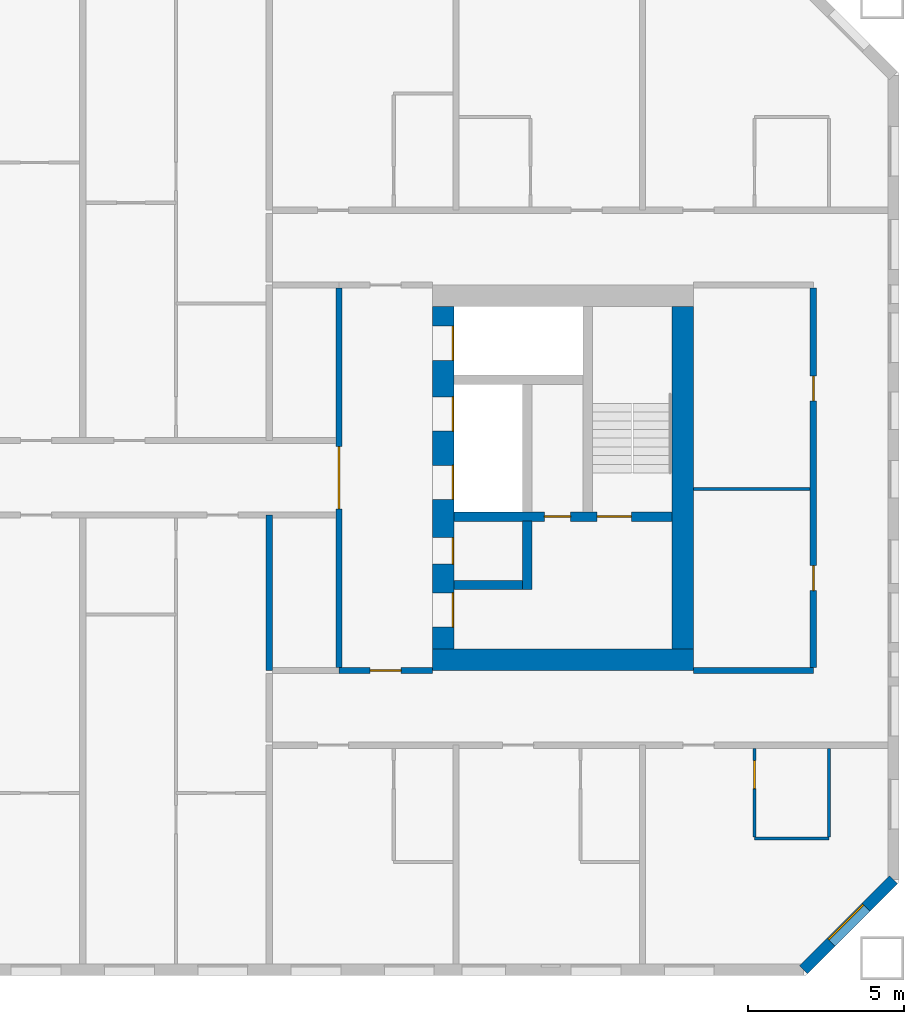
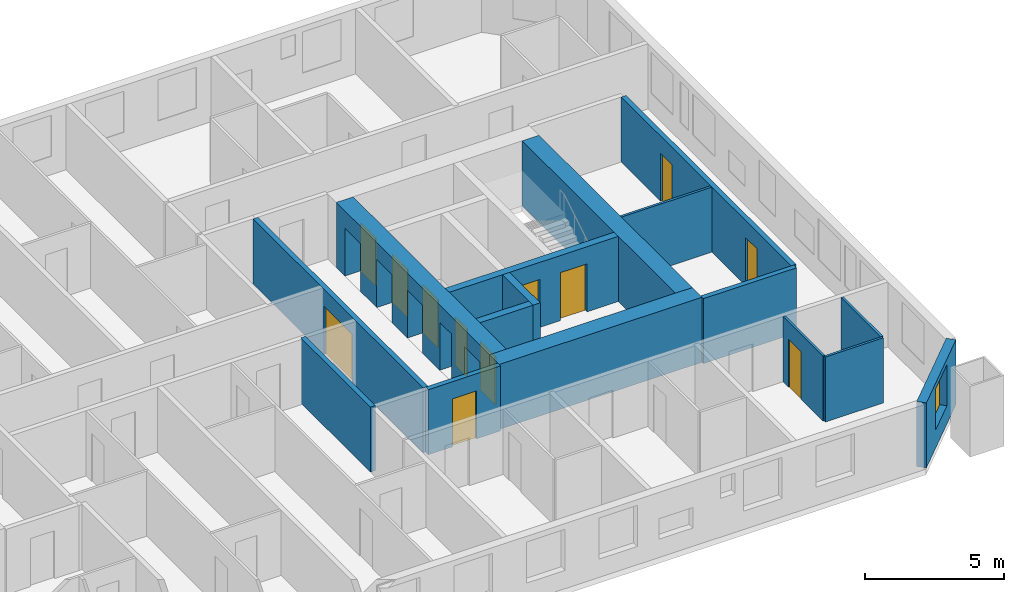
# One storey, part 12 of 17: 16 walls, 12 doors, 1 window, 13 openings.
"""IFC4 building model written with IfcOpenShell, lengths in metres."""

import ifcopenshell
import ifcopenshell.guid

model = None  # the IFC model being written
_history = None  # IfcOwnerHistory: only IFC2X3 demands one
_inside = {}  # id of a spatial element -> (the spatial element, [elements in it])
_under = {}  # id of a project, library or spatial element -> (it, [spatial elements below it])
_declared = {}  # id of a project -> (the project, [libraries it declares])
_typed = {}  # id of a type object -> (the type object, [elements of that type])
_made_of = {}  # id of a material, layer set ... -> (it, [elements and type objects made of it])


def new_model(schema):
    """Start an empty IFC model of exactly this schema.

    Asked for "IFC4X3", IfcOpenShell would pick the latest addendum, in which some entities
    have other attributes; the version numbers below select the first issue.
    IFC2X3 requires an IfcOwnerHistory on every rooted entity: one is made here for all.
    """
    global model, _history
    if schema == "IFC4X3":
        model = ifcopenshell.file(schema_version=(4, 3, 0, 0))
    else:
        model = ifcopenshell.file(schema=schema)
    _inside.clear()
    _under.clear()
    _declared.clear()
    _typed.clear()
    _made_of.clear()
    _history = None
    if model.schema == "IFC2X3":
        org = make("IfcOrganization", Name="unknown")
        user = make(
            "IfcPersonAndOrganization",
            ThePerson=make("IfcPerson", FamilyName="unknown"),
            TheOrganization=org,
        )
        app = make(
            "IfcApplication",
            ApplicationDeveloper=org,
            Version="unknown",
            ApplicationFullName="unknown",
            ApplicationIdentifier="unknown",
        )
        _history = make(
            "IfcOwnerHistory",
            OwningUser=user,
            OwningApplication=app,
            ChangeAction="ADDED",
            CreationDate=0,
        )
    return model


def make(cls, **values):
    """One entity of the class cls with the attributes given. An attribute that is None is left unset."""
    return model.create_entity(
        cls, **{name: value for name, value in values.items() if value is not None}
    )


def rooted(cls, **values):
    """An entity with a GlobalId (a new one), such as an element, a storey or a relation."""
    return make(cls, GlobalId=ifcopenshell.guid.new(), OwnerHistory=_history, **values)


def si_unit(unit_type, name, prefix=None):
    """IfcSIUnit, for example si_unit("LENGTHUNIT", "METRE", prefix="MILLI")."""
    return make("IfcSIUnit", UnitType=unit_type, Prefix=prefix, Name=name)


def assignment(units):
    """IfcUnitAssignment: the units of a project."""
    return None if units is None else make("IfcUnitAssignment", Units=units)


def point(xyz):
    """IfcCartesianPoint."""
    return None if xyz is None else make("IfcCartesianPoint", Coordinates=xyz)


def direction(xyz):
    """IfcDirection."""
    return None if xyz is None else make("IfcDirection", DirectionRatios=xyz)


def frame(location, z_axis=None, x_axis=None):
    """IfcAxis2Placement3D, a coordinate frame: its origin and axes. An axis left out is left unset."""
    return make(
        "IfcAxis2Placement3D",
        Location=point(location),
        Axis=direction(z_axis),
        RefDirection=direction(x_axis),
    )


def frame_2d(location, x_axis=None):
    """IfcAxis2Placement2D, a coordinate frame in the plane: its origin and x axis."""
    return make(
        "IfcAxis2Placement2D", Location=point(location), RefDirection=direction(x_axis)
    )


def origin():
    """The frame at (0, 0, 0) with its axes left unset."""
    return frame((0.0, 0.0, 0.0))


def place(relative_to, where):
    """IfcLocalPlacement: puts the frame where relative to a parent placement (None: the world)."""
    return make(
        "IfcLocalPlacement", PlacementRelTo=relative_to, RelativePlacement=where
    )


def context(
    kind, dimensions, precision=None, world=None, true_north=None, identifier=None
):
    """IfcGeometricRepresentationContext, for example the 3D "Model" context."""
    return make(
        "IfcGeometricRepresentationContext",
        ContextIdentifier=identifier,
        ContextType=kind,
        CoordinateSpaceDimension=dimensions,
        Precision=precision,
        WorldCoordinateSystem=world,
        TrueNorth=true_north,
    )


def subcontext(parent, identifier, kind, view, scale=None):
    """IfcGeometricRepresentationSubContext, for example "Body" below "Model"."""
    return make(
        "IfcGeometricRepresentationSubContext",
        ContextIdentifier=identifier,
        ContextType=kind,
        ParentContext=parent,
        TargetScale=scale,
        TargetView=view,
    )


def project(units=None, contexts=None):
    """IfcProject with its units and contexts."""
    return rooted(
        "IfcProject",
        Name="project",
        RepresentationContexts=contexts,
        UnitsInContext=assignment(units),
    )


def spatial(cls, under=None, at=None, **own):
    """A site, building, storey or space (cls), placed at a placement, below another one or the project."""
    s = rooted(cls, ObjectPlacement=at, **own)
    if under is not None:
        _under.setdefault(under.id(), (under, []))[1].append(s)
    return s


def profile(cls, at=None, kind="AREA", **sizes):
    """A parametric profile (cls). Its sizes go by their IFC names, for example OverallWidth=200.0."""
    return make(cls, ProfileType=kind, Position=at, **sizes)


def rectangle(**sizes):
    """IfcRectangleProfileDef."""
    return profile("IfcRectangleProfileDef", **sizes)


def extrude(swept, where, along, depth):
    """IfcExtrudedAreaSolid: the profile swept, set in the frame where, extruded along a direction by depth."""
    return make(
        "IfcExtrudedAreaSolid",
        SweptArea=swept,
        Position=where,
        ExtrudedDirection=direction(along),
        Depth=depth,
    )


def shape(context_of_items, identifier, shape_type, items):
    """IfcShapeRepresentation: the items that make up one representation, for example the "Body"."""
    return make(
        "IfcShapeRepresentation",
        ContextOfItems=context_of_items,
        RepresentationIdentifier=identifier,
        RepresentationType=shape_type,
        Items=items,
    )


def material(Name=None, Category=None):
    """IfcMaterial."""
    return make("IfcMaterial", Name=Name, Category=Category)


def layer(
    of_material, thickness, ventilated=None, Name=None, Category=None, Priority=None
):
    """IfcMaterialLayer: one layer of a wall or slab, of a material (None: an air gap)."""
    return make(
        "IfcMaterialLayer",
        Material=of_material,
        LayerThickness=thickness,
        IsVentilated=ventilated,
        Name=Name,
        Category=Category,
        Priority=Priority,
    )


def layer_set(layers, Name=None):
    """IfcMaterialLayerSet."""
    return make("IfcMaterialLayerSet", MaterialLayers=layers, LayerSetName=Name)


def made_of(thing, what):
    """Note that an element or type object is made of a material, layer set ...; save() writes the relation."""
    if what is not None:
        _made_of.setdefault(what.id(), (what, []))[1].append(thing)
    return thing


def type_object(cls, material=None, **own):
    """A type object (cls), such as IfcWallType, which elements share."""
    return made_of(rooted(cls, **own), material)


def element(
    cls,
    number,
    at=None,
    inside=None,
    cuts=None,
    type_object=None,
    material=None,
    context=None,
    identifier="Body",
    shape_type=None,
    held_by="IfcProductDefinitionShape",
    body=None,
    shapes=None,
    **own,
):
    """One element of the class cls, such as IfcWall. Its Tag is "e" and its number.

    at: its placement. inside: the storey or other place that contains it. cuts: it is an
    opening in that element (IfcRelVoidsElement). A single representation is given by context,
    identifier, shape_type and body (its items); several are given by shapes. held_by: the class
    of the entity that holds the representations. save() writes the other relations.
    """
    e = rooted(cls, Tag="e%d" % number, ObjectPlacement=at, **own)
    if body is not None:
        shapes = [shape(context, identifier, shape_type, body)]
    if shapes is not None:
        e.Representation = make(held_by, Representations=shapes)
    if inside is not None:
        _inside.setdefault(inside.id(), (inside, []))[1].append(e)
    if cuts is not None:
        rooted(
            "IfcRelVoidsElement", RelatingBuildingElement=cuts, RelatedOpeningElement=e
        )
    if type_object is not None:
        _typed.setdefault(type_object.id(), (type_object, []))[1].append(e)
    return made_of(e, material)


def fill(opening, filler):
    """IfcRelFillsElement: the door or window that sits in an opening."""
    return rooted(
        "IfcRelFillsElement",
        RelatingOpeningElement=opening,
        RelatedBuildingElement=filler,
    )


def aggregate(whole, parts):
    """IfcRelAggregates: a whole, such as a stair, and the parts it consists of."""
    return rooted("IfcRelAggregates", RelatingObject=whole, RelatedObjects=parts)


def save(model, path):
    """Write the relations noted so far, then the file.

    IfcRelAggregates (storeys below a building ...), IfcRelContainedInSpatialStructure (elements
    in a storey), IfcRelDefinesByType, IfcRelAssociatesMaterial and IfcRelDeclares: one each for
    every whole, place, type object, material and project.
    """
    for whole, parts in _under.values():
        aggregate(whole, parts)
    for where, things in _inside.values():
        rooted(
            "IfcRelContainedInSpatialStructure",
            RelatedElements=things,
            RelatingStructure=where,
        )
    for kind, things in _typed.values():
        rooted("IfcRelDefinesByType", RelatedObjects=things, RelatingType=kind)
    for what, things in _made_of.values():
        rooted("IfcRelAssociatesMaterial", RelatedObjects=things, RelatingMaterial=what)
    for by, libraries in _declared.values():
        rooted("IfcRelDeclares", RelatingContext=by, RelatedDefinitions=libraries)
    model.write(path)


model = new_model("IFC4")

# Units and contexts
model_context = context("Model", 3, precision=1e-05, world=origin(), true_north=direction((0.0, 1.0)))
body_context = subcontext(model_context, "Body", "Model", "MODEL_VIEW")
ifc_project = project(units=[si_unit("LENGTHUNIT", "METRE"), si_unit("AREAUNIT", "SQUARE_METRE"), si_unit("VOLUMEUNIT", "CUBIC_METRE"), si_unit("PLANEANGLEUNIT", "RADIAN"), si_unit("MASSUNIT", "GRAM", prefix="KILO")], contexts=[model_context])

# Site, building, storey
site_placement = place(None, origin())
site = spatial("IfcSite", under=ifc_project, at=site_placement, CompositionType="ELEMENT")
building_placement = place(site_placement, origin())
building = spatial("IfcBuilding", under=site, at=building_placement, Name="Tuart Gate Housing", CompositionType="ELEMENT")
storey_placement = place(building_placement, frame((0.0, 0.0, 77.800048828125)))
storey = spatial("IfcBuildingStorey", under=building, at=storey_placement, Name="L21", CompositionType="ELEMENT", Elevation=77.800048828125)

# Wall, opening, window
ifc_material_1 = material(Name="Brick", Category="masonry")
ifc_layer_1 = layer(ifc_material_1, 0.360107421875)
ifc_layer_set_1 = layer_set([ifc_layer_1], Name="Brick pier and spandrel wall 360")
wall_type_1 = type_object("IfcWallType", Name="Brick pier and spandrel wall 360", PredefinedType="STANDARD", material=ifc_layer_set_1)
wall_1_placement = place(storey_placement, frame((172.17529296875, 54.179931640625, 0.0), z_axis=(0.0, 0.0, 1.0), x_axis=(0.707106781187, 0.707106781187, 0.0)))
wall_1 = element("IfcWall", 1, at=wall_1_placement, inside=storey, type_object=wall_type_1, Name="External wall B-SE L21", PredefinedType="STANDARD", context=body_context, shape_type="SweptSolid", body=[
    extrude(rectangle(XDim=4.09375, YDim=0.360107421875, at=frame_2d((2.046875, 0.0))), origin(), (0.0, 0.0, 1.0), 2.849853515625),
])
opening_1_placement = place(wall_1_placement, frame((1.2470703125, 0.0, 0.800048828125)))
opening_1 = element("IfcOpeningElement", 2, at=opening_1_placement, cuts=wall_1, Name="Opening W1", PredefinedType="OPENING", context=body_context, shape_type="SweptSolid", body=[
    extrude(rectangle(XDim=1.60009765625, YDim=1.800048828125, at=frame_2d((0.800048828125, 0.89990234375))), frame((0.0, 0.18994140625, 0.0), z_axis=(0.0, -1.0, 0.0), x_axis=(1.0, 0.0, 0.0)), (0.0, 0.0, 1.0), 0.380126953125),
])
ifc_material_2 = material(Name="Aluminium frame with clear glass", Category="aluminium")
window_type = type_object("IfcWindowType", Name="Punched window 1600 x 1800", PartitioningType="SINGLE_PANEL", PredefinedType="WINDOW", material=ifc_material_2)
window_placement = place(opening_1_placement, origin())
window = element("IfcWindow", 3, at=window_placement, inside=storey, type_object=window_type, Name="Window W1", OverallHeight=1.800048828125, OverallWidth=1.60009765625, PartitioningType="SINGLE_PANEL", PredefinedType="WINDOW", context=body_context, shape_type="SweptSolid", body=[
    extrude(rectangle(XDim=1.60009765625, YDim=1.800048828125, at=frame_2d((0.800048828125, 0.89990234375))), frame((0.0, 0.150146484375, 0.0), z_axis=(0.0, -1.0, 0.0), x_axis=(1.0, 0.0, 0.0)), (0.0, 0.0, 1.0), 0.06005859375),
])
fill(opening_1, window)

# Wall, openings, doors
ifc_material_3 = material(Name="Concrete C50", Category="concrete")
ifc_layer_2 = layer(ifc_material_3, 0.300048828125)
ifc_layer_set_2 = layer_set([ifc_layer_2], Name="Core wall 300 C50")
wall_type_2 = type_object("IfcWallType", Name="Core wall 300 C50", PredefinedType="SHEAR", material=ifc_layer_set_2)
wall_2_placement = place(storey_placement, frame((160.93994140625, 68.75, 0.0), z_axis=(0.0, 0.0, 1.0), x_axis=(1.0, 0.0, 0.0)))
wall_2 = element("IfcWall", 4, at=wall_2_placement, inside=storey, type_object=wall_type_2, Name="Core wall BK.2", PredefinedType="SHEAR", context=body_context, shape_type="SweptSolid", body=[
    extrude(rectangle(XDim=7.0, YDim=0.300048828125, at=frame_2d((3.5, 0.0))), origin(), (0.0, 0.0, 1.0), 2.849853515625),
])
opening_2_placement = place(wall_2_placement, frame((4.60009765625, 0.0, 0.0)))
opening_2 = element("IfcOpeningElement", 5, at=opening_2_placement, cuts=wall_2, Name="Opening D931", PredefinedType="OPENING", context=body_context, shape_type="SweptSolid", body=[
    extrude(rectangle(XDim=1.10009765625, YDim=2.10009765625, at=frame_2d((0.550048828125, 1.050048828125))), frame((0.0, 0.159912109375, 0.0), z_axis=(0.0, -1.0, 0.0), x_axis=(1.0, 0.0, 0.0)), (0.0, 0.0, 1.0), 0.320068359375),
])
opening_3_placement = place(wall_2_placement, frame((2.89990234375, 0.0, 0.0)))
opening_3 = element("IfcOpeningElement", 6, at=opening_3_placement, cuts=wall_2, Name="Opening D930", PredefinedType="OPENING", context=body_context, shape_type="SweptSolid", body=[
    extrude(rectangle(XDim=0.85009765625, YDim=2.10009765625, at=frame_2d((0.425048828125, 1.050048828125))), frame((0.0, 0.159912109375, 0.0), z_axis=(0.0, -1.0, 0.0), x_axis=(1.0, 0.0, 0.0)), (0.0, 0.0, 1.0), 0.320068359375),
])
ifc_material_4 = material(Name="Steel fire door", Category="steel")
door_type_1 = type_object("IfcDoorType", Name="Riser door 850 x 2100", OperationType="SINGLE_SWING_LEFT", PredefinedType="DOOR", material=ifc_material_4)
door_1_placement = place(opening_3_placement, origin())
door_1 = element("IfcDoor", 7, at=door_1_placement, inside=storey, type_object=door_type_1, Name="Service room door BK.W1", OperationType="SINGLE_SWING_LEFT", OverallHeight=2.10009765625, OverallWidth=0.85009765625, PredefinedType="DOOR", context=body_context, shape_type="SweptSolid", body=[
    extrude(rectangle(XDim=0.85009765625, YDim=2.10009765625, at=frame_2d((0.425048828125, 1.050048828125))), frame((0.0, 0.02490234375, 0.0), z_axis=(0.0, -1.0, 0.0), x_axis=(1.0, 0.0, 0.0)), (0.0, 0.0, 1.0), 0.050048828125),
])
fill(opening_3, door_1)
ifc_material_5 = material(Name="Steel fire door", Category="steel")
door_type_2 = type_object("IfcDoorType", Name="Stair door 1100 x 2100", OperationType="SINGLE_SWING_LEFT", PredefinedType="DOOR", material=ifc_material_5)
door_2_placement = place(opening_2_placement, origin())
door_2 = element("IfcDoor", 8, at=door_2_placement, inside=storey, type_object=door_type_2, Name="Stair door BK.SD", OperationType="SINGLE_SWING_LEFT", OverallHeight=2.10009765625, OverallWidth=1.10009765625, PredefinedType="DOOR", context=body_context, shape_type="SweptSolid", body=[
    extrude(rectangle(XDim=1.10009765625, YDim=2.10009765625, at=frame_2d((0.550048828125, 1.050048828125))), frame((0.0, 0.02490234375, 0.0), z_axis=(0.0, -1.0, 0.0), x_axis=(1.0, 0.0, 0.0)), (0.0, 0.0, 1.0), 0.050048828125),
])
fill(opening_2, door_2)

# Walls
wall_3_placement = place(storey_placement, frame((160.93994140625, 66.550048828125, 0.0), z_axis=(0.0, 0.0, 1.0), x_axis=(1.0, 0.0, 0.0)))
element("IfcWall", 9, at=wall_3_placement, inside=storey, type_object=wall_type_2, Name="Core wall BK.3", PredefinedType="SHEAR", context=body_context, shape_type="SweptSolid", body=[
    extrude(rectangle(XDim=2.199951171875, YDim=0.300048828125, at=frame_2d((1.10009765625, 0.0))), origin(), (0.0, 0.0, 1.0), 2.849853515625),
])
wall_4_placement = place(storey_placement, frame((163.2900390625, 68.60009765625, 0.0), z_axis=(0.0, 0.0, 1.0), x_axis=(0.0, -1.0, 0.0)))
element("IfcWall", 10, at=wall_4_placement, inside=storey, type_object=wall_type_2, Name="Core wall BK.5", PredefinedType="SHEAR", context=body_context, shape_type="SweptSolid", body=[
    extrude(rectangle(XDim=2.2001953125, YDim=0.300048828125, at=frame_2d((1.10009765625, 0.0))), origin(), (0.0, 0.0, 1.0), 2.849853515625),
])

# Wall, openings, doors
ifc_material_6 = material(Name="Concrete C50", Category="concrete")
ifc_layer_3 = layer(ifc_material_6, 0.699951171875)
ifc_layer_set_3 = layer_set([ifc_layer_3], Name="Core wall 700 C50")
wall_type_3 = type_object("IfcWallType", Name="Core wall 700 C50", PredefinedType="SHEAR", material=ifc_layer_set_3)
wall_5_placement = place(storey_placement, frame((160.590087890625, 75.5, 0.0), z_axis=(0.0, 0.0, 1.0), x_axis=(0.0, -1.0, 0.0)))
wall_5 = element("IfcWall", 11, at=wall_5_placement, inside=storey, type_object=wall_type_3, Name="Core wall BK front", PredefinedType="SHEAR", context=body_context, shape_type="SweptSolid", body=[
    extrude(rectangle(XDim=11.0, YDim=0.699951171875, at=frame_2d((5.5, 0.0))), origin(), (0.0, 0.0, 1.0), 2.849853515625),
])
opening_4_placement = place(wall_5_placement, frame((0.625, 0.0, 0.0)))
opening_4 = element("IfcOpeningElement", 12, at=opening_4_placement, cuts=wall_5, Name="Opening LD-FB2", PredefinedType="OPENING", context=body_context, shape_type="SweptSolid", body=[
    extrude(rectangle(XDim=1.10009765625, YDim=2.10009765625, at=frame_2d((0.550048828125, 1.050048828125))), frame((0.0, 0.35986328125, 0.0), z_axis=(0.0, -1.0, 0.0), x_axis=(1.0, 0.0, 0.0)), (0.0, 0.0, 1.0), 0.719970703125),
])
opening_5_placement = place(wall_5_placement, frame((2.89990234375, 0.0, 0.0)))
opening_5 = element("IfcOpeningElement", 13, at=opening_5_placement, cuts=wall_5, Name="Opening LD-LB3", PredefinedType="OPENING", context=body_context, shape_type="SweptSolid", body=[
    extrude(rectangle(XDim=1.10009765625, YDim=2.10009765625, at=frame_2d((0.550048828125, 1.050048828125))), frame((0.0, 0.35986328125, 0.0), z_axis=(0.0, -1.0, 0.0), x_axis=(1.0, 0.0, 0.0)), (0.0, 0.0, 1.0), 0.719970703125),
])
opening_6_placement = place(wall_5_placement, frame((5.10009765625, 0.0, 0.0)))
opening_6 = element("IfcOpeningElement", 14, at=opening_6_placement, cuts=wall_5, Name="Opening LD-LB4", PredefinedType="OPENING", context=body_context, shape_type="SweptSolid", body=[
    extrude(rectangle(XDim=1.10009765625, YDim=2.10009765625, at=frame_2d((0.550048828125, 1.050048828125))), frame((0.0, 0.35986328125, 0.0), z_axis=(0.0, -1.0, 0.0), x_axis=(1.0, 0.0, 0.0)), (0.0, 0.0, 1.0), 0.719970703125),
])
opening_7_placement = place(wall_5_placement, frame((9.199951171875, 0.0, 0.0)))
opening_7 = element("IfcOpeningElement", 15, at=opening_7_placement, cuts=wall_5, Name="Opening D923", PredefinedType="OPENING", context=body_context, shape_type="SweptSolid", body=[
    extrude(rectangle(XDim=1.10009765625, YDim=2.10009765625, at=frame_2d((0.550048828125, 1.050048828125))), frame((0.0, 0.35986328125, 0.0), z_axis=(0.0, -1.0, 0.0), x_axis=(1.0, 0.0, 0.0)), (0.0, 0.0, 1.0), 0.719970703125),
])
opening_8_placement = place(wall_5_placement, frame((7.425048828125, 0.0, 0.0)))
opening_8 = element("IfcOpeningElement", 16, at=opening_8_placement, cuts=wall_5, Name="Opening D924", PredefinedType="OPENING", context=body_context, shape_type="SweptSolid", body=[
    extrude(rectangle(XDim=0.85009765625, YDim=2.10009765625, at=frame_2d((0.425048828125, 1.050048828125))), frame((0.0, 0.35986328125, 0.0), z_axis=(0.0, -1.0, 0.0), x_axis=(1.0, 0.0, 0.0)), (0.0, 0.0, 1.0), 0.719970703125),
])
ifc_material_7 = material(Name="Stainless steel", Category="steel")
door_type_3 = type_object("IfcDoorType", Name="Landing door 1100 x 2100", OperationType="DOUBLE_DOOR_SLIDING", PredefinedType="DOOR", material=ifc_material_7)
door_3_placement = place(opening_4_placement, origin())
door_3 = element("IfcDoor", 17, at=door_3_placement, inside=storey, type_object=door_type_3, Name="Lift landing door FB2", OperationType="DOUBLE_DOOR_SLIDING", OverallHeight=2.10009765625, OverallWidth=1.10009765625, PredefinedType="DOOR", context=body_context, shape_type="SweptSolid", body=[
    extrude(rectangle(XDim=1.10009765625, YDim=2.10009765625, at=frame_2d((0.550048828125, 1.050048828125))), frame((0.0, 0.3349609375, 0.0), z_axis=(0.0, -1.0, 0.0), x_axis=(1.0, 0.0, 0.0)), (0.0, 0.0, 1.0), 0.050048828125),
])
fill(opening_4, door_3)
door_4_placement = place(opening_5_placement, origin())
door_4 = element("IfcDoor", 18, at=door_4_placement, inside=storey, type_object=door_type_3, Name="Lift landing door LB3", OperationType="DOUBLE_DOOR_SLIDING", OverallHeight=2.10009765625, OverallWidth=1.10009765625, PredefinedType="DOOR", context=body_context, shape_type="SweptSolid", body=[
    extrude(rectangle(XDim=1.10009765625, YDim=2.10009765625, at=frame_2d((0.550048828125, 1.050048828125))), frame((0.0, 0.3349609375, 0.0), z_axis=(0.0, -1.0, 0.0), x_axis=(1.0, 0.0, 0.0)), (0.0, 0.0, 1.0), 0.050048828125),
])
fill(opening_5, door_4)
door_5_placement = place(opening_6_placement, origin())
door_5 = element("IfcDoor", 19, at=door_5_placement, inside=storey, type_object=door_type_3, Name="Lift landing door LB4", OperationType="DOUBLE_DOOR_SLIDING", OverallHeight=2.10009765625, OverallWidth=1.10009765625, PredefinedType="DOOR", context=body_context, shape_type="SweptSolid", body=[
    extrude(rectangle(XDim=1.10009765625, YDim=2.10009765625, at=frame_2d((0.550048828125, 1.050048828125))), frame((0.0, 0.3349609375, 0.0), z_axis=(0.0, -1.0, 0.0), x_axis=(1.0, 0.0, 0.0)), (0.0, 0.0, 1.0), 0.050048828125),
])
fill(opening_6, door_5)
ifc_material_8 = material(Name="Steel fire door", Category="steel")
door_type_4 = type_object("IfcDoorType", Name="Lobby door 1100 x 2100", OperationType="SINGLE_SWING_LEFT", PredefinedType="DOOR", material=ifc_material_8)
door_6_placement = place(opening_7_placement, origin())
door_6 = element("IfcDoor", 20, at=door_6_placement, inside=storey, type_object=door_type_4, Name="Lobby entry door BK.EN", OperationType="SINGLE_SWING_LEFT", OverallHeight=2.10009765625, OverallWidth=1.10009765625, PredefinedType="DOOR", context=body_context, shape_type="SweptSolid", body=[
    extrude(rectangle(XDim=1.10009765625, YDim=2.10009765625, at=frame_2d((0.550048828125, 1.050048828125))), frame((0.0, 0.3349609375, 0.0), z_axis=(0.0, -1.0, 0.0), x_axis=(1.0, 0.0, 0.0)), (0.0, 0.0, 1.0), 0.050048828125),
])
fill(opening_7, door_6)
ifc_material_9 = material(Name="Steel fire door", Category="steel")
door_type_5 = type_object("IfcDoorType", Name="Service door 850 x 2100", OperationType="SINGLE_SWING_LEFT", PredefinedType="DOOR", material=ifc_material_9)
door_7_placement = place(opening_8_placement, origin())
door_7 = element("IfcDoor", 21, at=door_7_placement, inside=storey, type_object=door_type_5, Name="Service room door BK.T1", OperationType="SINGLE_SWING_LEFT", OverallHeight=2.10009765625, OverallWidth=0.85009765625, PredefinedType="DOOR", context=body_context, shape_type="SweptSolid", body=[
    extrude(rectangle(XDim=0.85009765625, YDim=2.10009765625, at=frame_2d((0.425048828125, 1.050048828125))), frame((0.0, 0.3349609375, 0.0), z_axis=(0.0, -1.0, 0.0), x_axis=(1.0, 0.0, 0.0)), (0.0, 0.0, 1.0), 0.050048828125),
])
fill(opening_8, door_7)

# Walls
wall_6_placement = place(storey_placement, frame((168.2900390625, 75.5, 0.0), z_axis=(0.0, 0.0, 1.0), x_axis=(0.0, -1.0, 0.0)))
element("IfcWall", 22, at=wall_6_placement, inside=storey, type_object=wall_type_3, Name="Core wall BK back", PredefinedType="SHEAR", context=body_context, shape_type="SweptSolid", body=[
    extrude(rectangle(XDim=11.0, YDim=0.699951171875, at=frame_2d((5.5, 0.0))), origin(), (0.0, 0.0, 1.0), 2.849853515625),
])
wall_7_placement = place(storey_placement, frame((160.239990234375, 64.14990234375, 0.0), z_axis=(0.0, 0.0, 1.0), x_axis=(1.0, 0.0, 0.0)))
element("IfcWall", 23, at=wall_7_placement, inside=storey, type_object=wall_type_3, Name="Core wall BK north", PredefinedType="SHEAR", context=body_context, shape_type="SweptSolid", body=[
    extrude(rectangle(XDim=8.39990234375, YDim=0.699951171875, at=frame_2d((4.199951171875, 0.0))), origin(), (0.0, 0.0, 1.0), 2.849853515625),
])
ifc_material_10 = material(Name="Concrete masonry 15 MPa", Category="masonry")
ifc_layer_4 = layer(ifc_material_10, 0.199951171875)
ifc_layer_set_4 = layer_set([ifc_layer_4], Name="Corridor wall masonry 200")
wall_type_4 = type_object("IfcWallType", Name="Corridor wall masonry 200", PredefinedType="PARTITIONING", material=ifc_layer_set_4)
wall_8_placement = place(storey_placement, frame((168.639892578125, 63.800048828125, 0.0), z_axis=(0.0, 0.0, 1.0), x_axis=(1.0, 0.0, 0.0)))
element("IfcWall", 24, at=wall_8_placement, inside=storey, type_object=wall_type_4, Name="Corridor wall masonry 200", PredefinedType="PARTITIONING", context=body_context, shape_type="SweptSolid", body=[
    extrude(rectangle(XDim=3.85009765625, YDim=0.199951171875, at=frame_2d((1.925048828125, 0.0))), origin(), (0.0, 0.0, 1.0), 2.849853515625),
])

# Wall, openings, doors
wall_9_placement = place(storey_placement, frame((172.489990234375, 63.89990234375, 0.0), z_axis=(0.0, 0.0, 1.0), x_axis=(0.0, 1.0, 0.0)))
wall_9 = element("IfcWall", 25, at=wall_9_placement, inside=storey, type_object=wall_type_4, Name="Corridor wall masonry 200", PredefinedType="PARTITIONING", context=body_context, shape_type="SweptSolid", body=[
    extrude(rectangle(XDim=12.2001953125, YDim=0.199951171875, at=frame_2d((6.10009765625, 0.0))), origin(), (0.0, 0.0, 1.0), 2.849853515625),
])
opening_9_placement = place(wall_9_placement, frame((2.469970703125, 0.0, 0.0)))
opening_9 = element("IfcOpeningElement", 26, at=opening_9_placement, cuts=wall_9, Name="Opening D925", PredefinedType="OPENING", context=body_context, shape_type="SweptSolid", body=[
    extrude(rectangle(XDim=0.800048828125, YDim=2.10009765625, at=frame_2d((0.39990234375, 1.050048828125))), frame((0.0, 0.10986328125, 0.0), z_axis=(0.0, -1.0, 0.0), x_axis=(1.0, 0.0, 0.0)), (0.0, 0.0, 1.0), 0.219970703125),
])
opening_10_placement = place(wall_9_placement, frame((8.570068359375, 0.0, 0.0)))
opening_10 = element("IfcOpeningElement", 27, at=opening_10_placement, cuts=wall_9, Name="Opening D926", PredefinedType="OPENING", context=body_context, shape_type="SweptSolid", body=[
    extrude(rectangle(XDim=0.800048828125, YDim=2.10009765625, at=frame_2d((0.39990234375, 1.050048828125))), frame((0.0, 0.10986328125, 0.0), z_axis=(0.0, -1.0, 0.0), x_axis=(1.0, 0.0, 0.0)), (0.0, 0.0, 1.0), 0.219970703125),
])
ifc_material_11 = material(Name="Timber door leaf in steel frame", Category="steel")
door_type_6 = type_object("IfcDoorType", Name="Store door 800", OperationType="SINGLE_SWING_LEFT", PredefinedType="DOOR", material=ifc_material_11)
door_8_placement = place(opening_10_placement, origin())
door_8 = element("IfcDoor", 28, at=door_8_placement, inside=storey, type_object=door_type_6, Name="Store door", OperationType="SINGLE_SWING_LEFT", OverallHeight=2.10009765625, OverallWidth=0.800048828125, PredefinedType="DOOR", context=body_context, shape_type="SweptSolid", body=[
    extrude(rectangle(XDim=0.800048828125, YDim=2.10009765625, at=frame_2d((0.39990234375, 1.050048828125))), frame((0.0, 0.02490234375, 0.0), z_axis=(0.0, -1.0, 0.0), x_axis=(1.0, 0.0, 0.0)), (0.0, 0.0, 1.0), 0.050048828125),
])
fill(opening_10, door_8)
ifc_material_12 = material(Name="Timber door leaf in steel frame", Category="steel")
door_type_7 = type_object("IfcDoorType", Name="Store door 800 RH", OperationType="SINGLE_SWING_RIGHT", PredefinedType="DOOR", material=ifc_material_12)
door_9_placement = place(opening_9_placement, origin())
door_9 = element("IfcDoor", 29, at=door_9_placement, inside=storey, type_object=door_type_7, Name="Store door", OperationType="SINGLE_SWING_RIGHT", OverallHeight=2.10009765625, OverallWidth=0.800048828125, PredefinedType="DOOR", context=body_context, shape_type="SweptSolid", body=[
    extrude(rectangle(XDim=0.800048828125, YDim=2.10009765625, at=frame_2d((0.39990234375, 1.050048828125))), frame((0.0, 0.02490234375, 0.0), z_axis=(0.0, -1.0, 0.0), x_axis=(1.0, 0.0, 0.0)), (0.0, 0.0, 1.0), 0.050048828125),
])
fill(opening_9, door_9)

# Wall, opening, door
ifc_material_13 = material(Name="Concrete masonry 15 MPa", Category="masonry")
ifc_layer_5 = layer(ifc_material_13, 0.199951171875)
ifc_layer_set_5 = layer_set([ifc_layer_5], Name="Enclosure wall masonry 200")
wall_type_5 = type_object("IfcWallType", Name="Enclosure wall masonry 200", PredefinedType="PARTITIONING", material=ifc_layer_set_5)
wall_10_placement = place(storey_placement, frame((157.239990234375, 63.800048828125, 0.0), z_axis=(0.0, 0.0, 1.0), x_axis=(1.0, 0.0, 0.0)))
wall_10 = element("IfcWall", 30, at=wall_10_placement, inside=storey, type_object=wall_type_5, Name="Enclosure wall masonry 200", PredefinedType="PARTITIONING", context=body_context, shape_type="SweptSolid", body=[
    extrude(rectangle(XDim=3.0, YDim=0.199951171875, at=frame_2d((1.5, 0.0))), origin(), (0.0, 0.0, 1.0), 2.849853515625),
])
opening_11_placement = place(wall_10_placement, frame((1.0, 0.0, 0.0)))
opening_11 = element("IfcOpeningElement", 31, at=opening_11_placement, cuts=wall_10, Name="Opening D933", PredefinedType="OPENING", context=body_context, shape_type="SweptSolid", body=[
    extrude(rectangle(XDim=1.0, YDim=2.10009765625, at=frame_2d((0.5, 1.050048828125))), frame((0.0, 0.10986328125, 0.0), z_axis=(0.0, -1.0, 0.0), x_axis=(1.0, 0.0, 0.0)), (0.0, 0.0, 1.0), 0.219970703125),
])
ifc_material_14 = material(Name="Timber door leaf in steel frame", Category="steel")
door_type_8 = type_object("IfcDoorType", Name="Fire door 1000 RH", OperationType="SINGLE_SWING_RIGHT", PredefinedType="DOOR", material=ifc_material_14)
door_10_placement = place(opening_11_placement, frame((1.0, 0.0, 0.0), z_axis=(0.0, 0.0, 1.0), x_axis=(-1.0, 0.0, 0.0)))
door_10 = element("IfcDoor", 32, at=door_10_placement, inside=storey, type_object=door_type_8, Name="Fire door", OperationType="SINGLE_SWING_RIGHT", OverallHeight=2.10009765625, OverallWidth=1.0, PredefinedType="DOOR", context=body_context, shape_type="SweptSolid", body=[
    extrude(rectangle(XDim=1.0, YDim=2.10009765625, at=frame_2d((0.5, 1.050048828125))), frame((0.0, 0.025146484375, 0.0), z_axis=(0.0, -1.0, 0.0), x_axis=(1.0, 0.0, 0.0)), (0.0, 0.0, 1.0), 0.050048828125),
])
fill(opening_11, door_10)

ifc_material_15 = material(Name="Plasterboard partition")
ifc_layer_6 = layer(ifc_material_15, 0.199951171875)
ifc_layer_set_6 = layer_set([ifc_layer_6], Name="Lobby wall 200")
wall_type_6 = type_object("IfcWallType", Name="Lobby wall 200", PredefinedType="PARTITIONING", material=ifc_layer_set_6)
wall_11_placement = place(storey_placement, frame((157.239990234375, 63.89990234375, 0.0), z_axis=(0.0, 0.0, 1.0), x_axis=(0.0, 1.0, 0.0)))
wall_11 = element("IfcWall", 33, at=wall_11_placement, inside=storey, type_object=wall_type_6, Name="Lift lobby wall BK", PredefinedType="PARTITIONING", context=body_context, shape_type="SweptSolid", body=[
    extrude(rectangle(XDim=12.2001953125, YDim=0.199951171875, at=frame_2d((6.10009765625, 0.0))), origin(), (0.0, 0.0, 1.0), 2.849853515625),
])
opening_12_placement = place(wall_11_placement, frame((5.10009765625, 0.0, 0.0)))
opening_12 = element("IfcOpeningElement", 34, at=opening_12_placement, cuts=wall_11, Name="Opening D922", PredefinedType="OPENING", context=body_context, shape_type="SweptSolid", body=[
    extrude(rectangle(XDim=2.0, YDim=2.10009765625, at=frame_2d((1.0, 1.050048828125))), frame((0.0, 0.10986328125, 0.0), z_axis=(0.0, -1.0, 0.0), x_axis=(1.0, 0.0, 0.0)), (0.0, 0.0, 1.0), 0.219970703125),
])
ifc_material_16 = material(Name="Steel fire door", Category="steel")
door_type_9 = type_object("IfcDoorType", Name="Smoke door 2000 x 2100", OperationType="DOUBLE_DOOR_SINGLE_SWING", PredefinedType="DOOR", material=ifc_material_16)
door_11_placement = place(opening_12_placement, frame((2.0, 0.0, 0.0), z_axis=(0.0, 0.0, 1.0), x_axis=(-1.0, 0.0, 0.0)))
door_11 = element("IfcDoor", 35, at=door_11_placement, inside=storey, type_object=door_type_9, Name="Lift lobby smoke door BK", OperationType="DOUBLE_DOOR_SINGLE_SWING", OverallHeight=2.10009765625, OverallWidth=2.0, PredefinedType="DOOR", context=body_context, shape_type="SweptSolid", body=[
    extrude(rectangle(XDim=2.0, YDim=2.10009765625, at=frame_2d((1.0, 1.050048828125))), frame((0.0, 0.025146484375, 0.0), z_axis=(0.0, -1.0, 0.0), x_axis=(1.0, 0.0, 0.0)), (0.0, 0.0, 1.0), 0.050048828125),
])
fill(opening_12, door_11)

# Walls
ifc_material_17 = material(Name="Gypsum board on steel studs", Category="steel")
ifc_layer_7 = layer(ifc_material_17, 0.10009765625)
ifc_layer_set_7 = layer_set([ifc_layer_7], Name="Partition 100")
wall_type_7 = type_object("IfcWallType", Name="Partition 100", PredefinedType="PARTITIONING", material=ifc_layer_set_7)
wall_12_placement = place(storey_placement, frame((170.60009765625, 58.39990234375, 0.0), z_axis=(0.0, 0.0, 1.0), x_axis=(1.0, 0.0, 0.0)))
element("IfcWall", 36, at=wall_12_placement, inside=storey, type_object=wall_type_7, Name="Partition 100", PredefinedType="PARTITIONING", context=body_context, shape_type="SweptSolid", body=[
    extrude(rectangle(XDim=2.39990234375, YDim=0.10009765625, at=frame_2d((1.199951171875, 0.0))), origin(), (0.0, 0.0, 1.0), 2.849853515625),
])
wall_13_placement = place(storey_placement, frame((168.639892578125, 69.639892578125, 0.0), z_axis=(0.0, 0.0, 1.0), x_axis=(1.0, 0.0, 0.0)))
element("IfcWall", 37, at=wall_13_placement, inside=storey, type_object=wall_type_7, Name="Partition 100", PredefinedType="PARTITIONING", context=body_context, shape_type="SweptSolid", body=[
    extrude(rectangle(XDim=3.75, YDim=0.10009765625, at=frame_2d((1.875, 0.0))), origin(), (0.0, 0.0, 1.0), 2.849853515625),
])

# Wall, opening, door
wall_14_placement = place(storey_placement, frame((170.60009765625, 58.449951171875, 0.0), z_axis=(0.0, 0.0, 1.0), x_axis=(0.0, 1.0, 0.0)))
wall_14 = element("IfcWall", 38, at=wall_14_placement, inside=storey, type_object=wall_type_7, Name="Partition 100", PredefinedType="PARTITIONING", context=body_context, shape_type="SweptSolid", body=[
    extrude(rectangle(XDim=2.85009765625, YDim=0.10009765625, at=frame_2d((1.425048828125, 0.0))), origin(), (0.0, 0.0, 1.0), 2.849853515625),
])
opening_13_placement = place(wall_14_placement, frame((1.550048828125, 0.0, 0.0)))
opening_13 = element("IfcOpeningElement", 39, at=opening_13_placement, cuts=wall_14, Name="Opening D943", PredefinedType="OPENING", context=body_context, shape_type="SweptSolid", body=[
    extrude(rectangle(XDim=0.89990234375, YDim=2.10009765625, at=frame_2d((0.449951171875, 1.050048828125))), frame((0.0, 0.06005859375, 0.0), z_axis=(0.0, -1.0, 0.0), x_axis=(1.0, 0.0, 0.0)), (0.0, 0.0, 1.0), 0.1201171875),
])
ifc_material_18 = material(Name="Timber door leaf in steel frame", Category="steel")
door_type_10 = type_object("IfcDoorType", Name="Bathroom door 900", OperationType="SINGLE_SWING_LEFT", PredefinedType="DOOR", material=ifc_material_18)
door_12_placement = place(opening_13_placement, frame((0.89990234375, 0.0, 0.0), z_axis=(0.0, 0.0, 1.0), x_axis=(-1.0, 0.0, 0.0)))
door_12 = element("IfcDoor", 40, at=door_12_placement, inside=storey, type_object=door_type_10, Name="Bathroom door", OperationType="SINGLE_SWING_LEFT", OverallHeight=2.10009765625, OverallWidth=0.89990234375, PredefinedType="DOOR", context=body_context, shape_type="SweptSolid", body=[
    extrude(rectangle(XDim=0.89990234375, YDim=2.10009765625, at=frame_2d((0.449951171875, 1.050048828125))), frame((0.0, 0.025146484375, 0.0), z_axis=(0.0, -1.0, 0.0), x_axis=(1.0, 0.0, 0.0)), (0.0, 0.0, 1.0), 0.050048828125),
])
fill(opening_13, door_12)

# Walls
wall_15_placement = place(storey_placement, frame((173.0, 58.449951171875, 0.0), z_axis=(0.0, 0.0, 1.0), x_axis=(0.0, 1.0, 0.0)))
element("IfcWall", 41, at=wall_15_placement, inside=storey, type_object=wall_type_7, Name="Partition 100", PredefinedType="PARTITIONING", context=body_context, shape_type="SweptSolid", body=[
    extrude(rectangle(XDim=2.85009765625, YDim=0.10009765625, at=frame_2d((1.425048828125, 0.0))), origin(), (0.0, 0.0, 1.0), 2.849853515625),
])
ifc_material_19 = material(Name="Concrete C40", Category="concrete")
ifc_layer_8 = layer(ifc_material_19, 0.199951171875)
ifc_layer_set_8 = layer_set([ifc_layer_8], Name="Party wall concrete C40 200")
wall_type_8 = type_object("IfcWallType", Name="Party wall concrete C40 200", PredefinedType="SOLIDWALL", material=ifc_layer_set_8)
wall_16_placement = place(storey_placement, frame((155.0, 63.800048828125, 0.0), z_axis=(0.0, 0.0, 1.0), x_axis=(0.0, 1.0, 0.0)))
element("IfcWall", 42, at=wall_16_placement, inside=storey, type_object=wall_type_8, Name="Party wall concrete C40 200", PredefinedType="SOLIDWALL", context=body_context, shape_type="SweptSolid", body=[
    extrude(rectangle(XDim=5.0, YDim=0.199951171875, at=frame_2d((2.5, 0.0))), origin(), (0.0, 0.0, 1.0), 2.849853515625),
])

save(model, "model.ifc")
